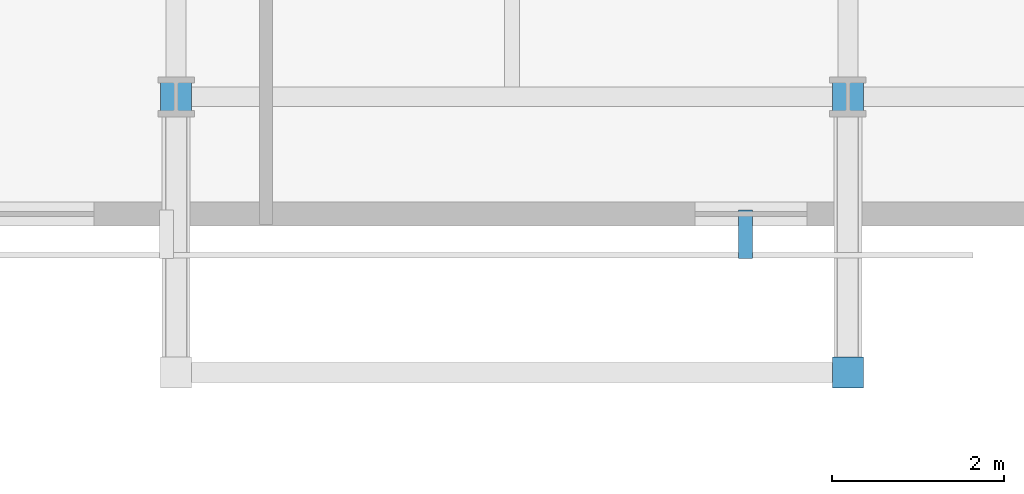
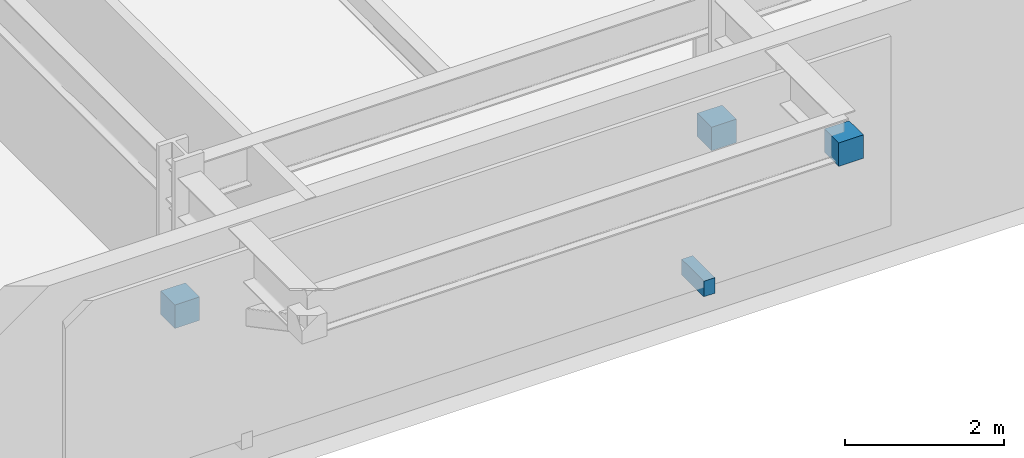
# One storey, part 8 of 10: 4 discrete accessories.
"""IFC4 building model written with IfcOpenShell, lengths in metres."""

from ifc_helpers import new_model, si_unit, direction, frame, origin, origin_2d, place, context, subcontext, project, spatial, rectangle, extrude, material, type_object, element, save


model = new_model("IFC4")

# Units and contexts
model_context = context("Model", 3, precision=1e-05, world=origin(), true_north=direction((0.0, 1.0)))
body_context = subcontext(model_context, "Body", "Model", "MODEL_VIEW")
ifc_project = project(units=[si_unit("LENGTHUNIT", "METRE"), si_unit("AREAUNIT", "SQUARE_METRE"), si_unit("VOLUMEUNIT", "CUBIC_METRE"), si_unit("PLANEANGLEUNIT", "RADIAN"), si_unit("MASSUNIT", "GRAM", prefix="KILO")], contexts=[model_context])

# Site, building, storey
site_placement = place(None, origin())
site = spatial("IfcSite", under=ifc_project, at=site_placement, CompositionType="ELEMENT")
building_placement = place(site_placement, origin())
building = spatial("IfcBuilding", under=site, at=building_placement, Name="Kestravale Grand Hotel", CompositionType="ELEMENT")
storey_placement = place(building_placement, frame((0.0, 0.0, 261.39990234375)))
storey = spatial("IfcBuildingStorey", under=building, at=storey_placement, Name="L65", CompositionType="ELEMENT", Elevation=261.39990234375)

# Discrete accessories
ifc_material = material(Name="Steel ASTM A572 Grade 50 hot-dip galvanised bracket", Category="steel")
discrete_accessory_type = type_object("IfcDiscreteAccessoryType", Name="ACC-BRK-STL", PredefinedType="BRACKET", material=ifc_material)
for number, where, z_axis, x_axis, name in (
    (1, (46.800048828125, 11.199951171875, 1.39404296875), (0.0, 0.0, 1.0), (1.0, 0.0, 0.0), "L66 terrace strut column bracket 1"),
    (2, (54.60009765625, 11.199951171875, 1.39404296875), (0.0, 0.0, 1.0), (1.0, 0.0, 0.0), "L66 terrace strut column bracket 2"),
    (3, (54.60009765625, 8.0, 3.09423828125), (0.0, 0.0, 1.0), (1.0, 0.0, 0.0), "L66 terrace strut beam bracket 2"),
):
    element("IfcDiscreteAccessory", number, at=place(storey_placement, frame(where, z_axis=z_axis, x_axis=x_axis)), inside=storey, type_object=discrete_accessory_type, Name=name, PredefinedType="BRACKET", context=body_context, shape_type="SweptSolid", body=[
        extrude(rectangle(XDim=0.360107421875, YDim=0.360107421875, at=origin_2d()), origin(), (0.0, 0.0, 1.0), 0.360107421875),
    ])
discrete_accessory_placement = place(storey_placement, frame((53.409912109375, 9.60498046875, 0.56005859375), z_axis=(0.0, 0.0, 1.0), x_axis=(1.0, 0.0, 0.0)))
element("IfcDiscreteAccessory", 4, at=discrete_accessory_placement, inside=storey, type_object=discrete_accessory_type, Name="L65 solar screen standoff bracket 2", PredefinedType="BRACKET", context=body_context, shape_type="SweptSolid", body=[
    extrude(rectangle(XDim=0.159912109375, YDim=0.56005859375, at=origin_2d()), origin(), (0.0, 0.0, 1.0), 0.239990234375),
])

save(model, "model.ifc")
